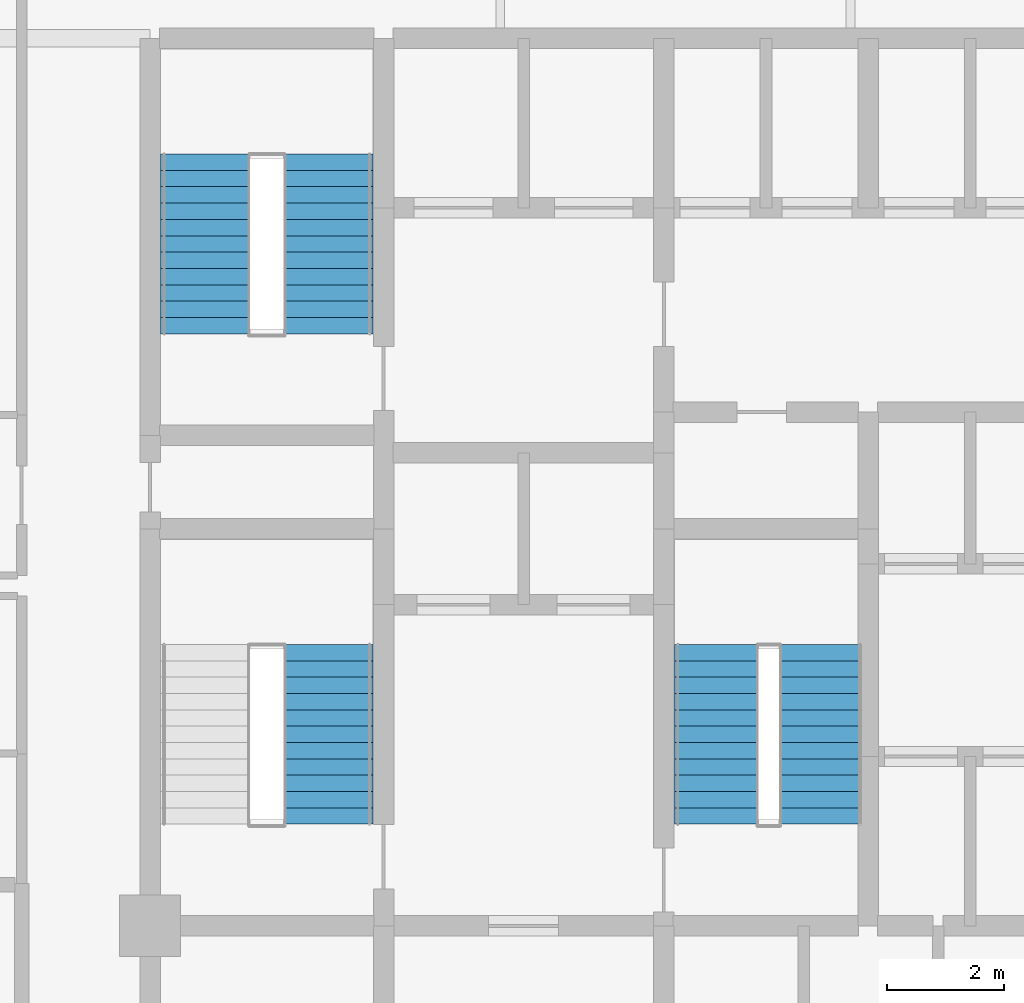
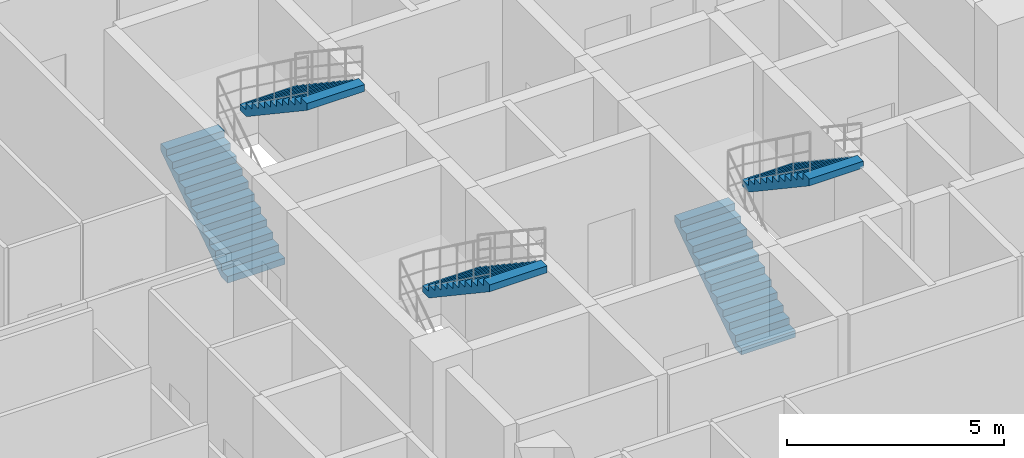
# One storey, part 28 of 30: 5 stair flights, 3 elements without a shape of their own.
"""IFC4 building model written with IfcOpenShell, lengths in metres."""

import ifcopenshell
import ifcopenshell.guid

model = None  # the IFC model being written
_history = None  # IfcOwnerHistory: only IFC2X3 demands one
_inside = {}  # id of a spatial element -> (the spatial element, [elements in it])
_under = {}  # id of a project, library or spatial element -> (it, [spatial elements below it])
_declared = {}  # id of a project -> (the project, [libraries it declares])
_typed = {}  # id of a type object -> (the type object, [elements of that type])
_made_of = {}  # id of a material, layer set ... -> (it, [elements and type objects made of it])


def new_model(schema):
    """Start an empty IFC model of exactly this schema.

    Asked for "IFC4X3", IfcOpenShell would pick the latest addendum, in which some entities
    have other attributes; the version numbers below select the first issue.
    IFC2X3 requires an IfcOwnerHistory on every rooted entity: one is made here for all.
    """
    global model, _history
    if schema == "IFC4X3":
        model = ifcopenshell.file(schema_version=(4, 3, 0, 0))
    else:
        model = ifcopenshell.file(schema=schema)
    _inside.clear()
    _under.clear()
    _declared.clear()
    _typed.clear()
    _made_of.clear()
    _history = None
    if model.schema == "IFC2X3":
        org = make("IfcOrganization", Name="unknown")
        user = make(
            "IfcPersonAndOrganization",
            ThePerson=make("IfcPerson", FamilyName="unknown"),
            TheOrganization=org,
        )
        app = make(
            "IfcApplication",
            ApplicationDeveloper=org,
            Version="unknown",
            ApplicationFullName="unknown",
            ApplicationIdentifier="unknown",
        )
        _history = make(
            "IfcOwnerHistory",
            OwningUser=user,
            OwningApplication=app,
            ChangeAction="ADDED",
            CreationDate=0,
        )
    return model


def make(cls, **values):
    """One entity of the class cls with the attributes given. An attribute that is None is left unset."""
    return model.create_entity(
        cls, **{name: value for name, value in values.items() if value is not None}
    )


def rooted(cls, **values):
    """An entity with a GlobalId (a new one), such as an element, a storey or a relation."""
    return make(cls, GlobalId=ifcopenshell.guid.new(), OwnerHistory=_history, **values)


def si_unit(unit_type, name, prefix=None):
    """IfcSIUnit, for example si_unit("LENGTHUNIT", "METRE", prefix="MILLI")."""
    return make("IfcSIUnit", UnitType=unit_type, Prefix=prefix, Name=name)


def assignment(units):
    """IfcUnitAssignment: the units of a project."""
    return None if units is None else make("IfcUnitAssignment", Units=units)


def point(xyz):
    """IfcCartesianPoint."""
    return None if xyz is None else make("IfcCartesianPoint", Coordinates=xyz)


def direction(xyz):
    """IfcDirection."""
    return None if xyz is None else make("IfcDirection", DirectionRatios=xyz)


def frame(location, z_axis=None, x_axis=None):
    """IfcAxis2Placement3D, a coordinate frame: its origin and axes. An axis left out is left unset."""
    return make(
        "IfcAxis2Placement3D",
        Location=point(location),
        Axis=direction(z_axis),
        RefDirection=direction(x_axis),
    )


def origin():
    """The frame at (0, 0, 0) with its axes left unset."""
    return frame((0.0, 0.0, 0.0))


def place(relative_to, where):
    """IfcLocalPlacement: puts the frame where relative to a parent placement (None: the world)."""
    return make(
        "IfcLocalPlacement", PlacementRelTo=relative_to, RelativePlacement=where
    )


def context(
    kind, dimensions, precision=None, world=None, true_north=None, identifier=None
):
    """IfcGeometricRepresentationContext, for example the 3D "Model" context."""
    return make(
        "IfcGeometricRepresentationContext",
        ContextIdentifier=identifier,
        ContextType=kind,
        CoordinateSpaceDimension=dimensions,
        Precision=precision,
        WorldCoordinateSystem=world,
        TrueNorth=true_north,
    )


def subcontext(parent, identifier, kind, view, scale=None):
    """IfcGeometricRepresentationSubContext, for example "Body" below "Model"."""
    return make(
        "IfcGeometricRepresentationSubContext",
        ContextIdentifier=identifier,
        ContextType=kind,
        ParentContext=parent,
        TargetScale=scale,
        TargetView=view,
    )


def project(units=None, contexts=None):
    """IfcProject with its units and contexts."""
    return rooted(
        "IfcProject",
        Name="project",
        RepresentationContexts=contexts,
        UnitsInContext=assignment(units),
    )


def spatial(cls, under=None, at=None, **own):
    """A site, building, storey or space (cls), placed at a placement, below another one or the project."""
    s = rooted(cls, ObjectPlacement=at, **own)
    if under is not None:
        _under.setdefault(under.id(), (under, []))[1].append(s)
    return s


def polyline(points):
    """IfcPolyline through the points."""
    return make("IfcPolyline", Points=[point(p) for p in points])


def outline(outer, holes=None, kind="AREA"):
    """IfcArbitraryClosedProfileDef: a profile drawn as a closed curve; with holes, ...WithVoids."""
    if holes is None:
        return make("IfcArbitraryClosedProfileDef", ProfileType=kind, OuterCurve=outer)
    return make(
        "IfcArbitraryProfileDefWithVoids",
        ProfileType=kind,
        OuterCurve=outer,
        InnerCurves=holes,
    )


def extrude(swept, where, along, depth):
    """IfcExtrudedAreaSolid: the profile swept, set in the frame where, extruded along a direction by depth."""
    return make(
        "IfcExtrudedAreaSolid",
        SweptArea=swept,
        Position=where,
        ExtrudedDirection=direction(along),
        Depth=depth,
    )


def shape(context_of_items, identifier, shape_type, items):
    """IfcShapeRepresentation: the items that make up one representation, for example the "Body"."""
    return make(
        "IfcShapeRepresentation",
        ContextOfItems=context_of_items,
        RepresentationIdentifier=identifier,
        RepresentationType=shape_type,
        Items=items,
    )


def material(Name=None, Category=None):
    """IfcMaterial."""
    return make("IfcMaterial", Name=Name, Category=Category)


def made_of(thing, what):
    """Note that an element or type object is made of a material, layer set ...; save() writes the relation."""
    if what is not None:
        _made_of.setdefault(what.id(), (what, []))[1].append(thing)
    return thing


def type_object(cls, material=None, **own):
    """A type object (cls), such as IfcWallType, which elements share."""
    return made_of(rooted(cls, **own), material)


def element(
    cls,
    number,
    at=None,
    inside=None,
    cuts=None,
    type_object=None,
    material=None,
    context=None,
    identifier="Body",
    shape_type=None,
    held_by="IfcProductDefinitionShape",
    body=None,
    shapes=None,
    **own,
):
    """One element of the class cls, such as IfcWall. Its Tag is "e" and its number.

    at: its placement. inside: the storey or other place that contains it. cuts: it is an
    opening in that element (IfcRelVoidsElement). A single representation is given by context,
    identifier, shape_type and body (its items); several are given by shapes. held_by: the class
    of the entity that holds the representations. save() writes the other relations.
    """
    e = rooted(cls, Tag="e%d" % number, ObjectPlacement=at, **own)
    if body is not None:
        shapes = [shape(context, identifier, shape_type, body)]
    if shapes is not None:
        e.Representation = make(held_by, Representations=shapes)
    if inside is not None:
        _inside.setdefault(inside.id(), (inside, []))[1].append(e)
    if cuts is not None:
        rooted(
            "IfcRelVoidsElement", RelatingBuildingElement=cuts, RelatedOpeningElement=e
        )
    if type_object is not None:
        _typed.setdefault(type_object.id(), (type_object, []))[1].append(e)
    return made_of(e, material)


def aggregate(whole, parts):
    """IfcRelAggregates: a whole, such as a stair, and the parts it consists of."""
    return rooted("IfcRelAggregates", RelatingObject=whole, RelatedObjects=parts)


def save(model, path):
    """Write the relations noted so far, then the file.

    IfcRelAggregates (storeys below a building ...), IfcRelContainedInSpatialStructure (elements
    in a storey), IfcRelDefinesByType, IfcRelAssociatesMaterial and IfcRelDeclares: one each for
    every whole, place, type object, material and project.
    """
    for whole, parts in _under.values():
        aggregate(whole, parts)
    for where, things in _inside.values():
        rooted(
            "IfcRelContainedInSpatialStructure",
            RelatedElements=things,
            RelatingStructure=where,
        )
    for kind, things in _typed.values():
        rooted("IfcRelDefinesByType", RelatedObjects=things, RelatingType=kind)
    for what, things in _made_of.values():
        rooted("IfcRelAssociatesMaterial", RelatedObjects=things, RelatingMaterial=what)
    for by, libraries in _declared.values():
        rooted("IfcRelDeclares", RelatingContext=by, RelatedDefinitions=libraries)
    model.write(path)


model = new_model("IFC4")

# Units and contexts
model_context = context("Model", 3, precision=1e-05, world=origin(), true_north=direction((0.0, 1.0)))
body_context = subcontext(model_context, "Body", "Model", "MODEL_VIEW")
ifc_project = project(units=[si_unit("LENGTHUNIT", "METRE"), si_unit("AREAUNIT", "SQUARE_METRE"), si_unit("VOLUMEUNIT", "CUBIC_METRE"), si_unit("PLANEANGLEUNIT", "RADIAN"), si_unit("MASSUNIT", "GRAM", prefix="KILO")], contexts=[model_context])

# Site, building, storey
site_placement = place(None, origin())
site = spatial("IfcSite", under=ifc_project, at=site_placement, CompositionType="ELEMENT")
building_placement = place(site_placement, origin())
building = spatial("IfcBuilding", under=site, at=building_placement, Name="Keshet Zoharim Tower", CompositionType="ELEMENT")
storey_placement = place(building_placement, frame((0.0, 0.0, 86.39990234375)))
storey = spatial("IfcBuildingStorey", under=building, at=storey_placement, Name="L20", CompositionType="ELEMENT", Elevation=86.39990234375)

# Stair, stair flight
ifc_material = material(Name="Concrete C50/60", Category="concrete")
stair_type = type_object("IfcStairType", Name="STR-EXIT-135", PredefinedType="HALF_TURN_STAIR", material=ifc_material)
stair_1_placement = place(storey_placement, origin())
stair_1 = element("IfcStair", 1, at=stair_1_placement, inside=storey, type_object=stair_type, Name="L20 Enclosed Exit Stair ST-01", PredefinedType="HALF_TURN_STAIR")
stair_flight_type_1 = type_object("IfcStairFlightType", Name="FLT-PRE-135", PredefinedType="STRAIGHT", material=ifc_material)
stair_flight_1_placement = place(storey_placement, frame((18.054931640625, 27.52001953125, 2.25), z_axis=(0.0, 0.0, 1.0), x_axis=(0.0, -1.0, 0.0)))
stair_flight_1 = element("IfcStairFlight", 2, at=stair_flight_1_placement, type_object=stair_flight_type_1, Name="ST-01 flight 2", NumberOfRisers=12, NumberOfTreads=11, PredefinedType="STRAIGHT", RiserHeight=0.1875, TreadLength=0.28, context=body_context, shape_type="SweptSolid", body=[
    extrude(outline(polyline([(0.0, 0.0), (0.0, 0.1875), (0.280029296875, 0.1875), (0.280029296875, 0.375), (0.56005859375, 0.375), (0.56005859375, 0.5625), (0.840087890625, 0.5625), (0.840087890625, 0.75), (1.1201171875, 0.75), (1.1201171875, 0.9375), (1.39990234375, 0.9375), (1.39990234375, 1.125), (1.679931640625, 1.125), (1.679931640625, 1.3125), (1.9599609375, 1.3125), (1.9599609375, 1.5), (2.239990234375, 1.5), (2.239990234375, 1.6875), (2.52001953125, 1.6875), (2.52001953125, 1.875), (2.800048828125, 1.875), (2.800048828125, 2.0625), (3.080078125, 2.0625), (3.080078125, 2.25), (3.080078125, 1.8701171875), (0.287353515625, 0.0), (0.0, 0.0)])), frame((0.0, 0.76513671875, 0.0), z_axis=(0.0, -1.0, 0.0), x_axis=(1.0, 0.0, 0.0)), (0.0, 0.0, 1.0), 1.530029296875),
])
aggregate(stair_1, [stair_flight_1])

# Stair, stair flights
stair_2_placement = place(storey_placement, origin())
stair_2 = element("IfcStair", 3, at=stair_2_placement, inside=storey, type_object=stair_type, Name="L20 Enclosed Exit Stair ST-02", PredefinedType="HALF_TURN_STAIR")
stair_flight_2_placement = place(storey_placement, frame((15.945068359375, 32.840087890625, 0.0), z_axis=(0.0, 0.0, 1.0), x_axis=(0.0, 1.0, 0.0)))
stair_flight_2 = element("IfcStairFlight", 4, at=stair_flight_2_placement, type_object=stair_flight_type_1, Name="ST-02 flight 1", NumberOfRisers=12, NumberOfTreads=11, PredefinedType="STRAIGHT", RiserHeight=0.1875, TreadLength=0.28, context=body_context, shape_type="SweptSolid", body=[
    extrude(outline(polyline([(0.0, 0.0), (0.0, 0.1875), (0.280029296875, 0.1875), (0.280029296875, 0.375), (0.56005859375, 0.375), (0.56005859375, 0.5625), (0.840087890625, 0.5625), (0.840087890625, 0.75), (1.1201171875, 0.75), (1.1201171875, 0.9375), (1.39990234375, 0.9375), (1.39990234375, 1.125), (1.679931640625, 1.125), (1.679931640625, 1.3125), (1.9599609375, 1.3125), (1.9599609375, 1.5), (2.239990234375, 1.5), (2.239990234375, 1.6875), (2.52001953125, 1.6875), (2.52001953125, 1.875), (2.800048828125, 1.875), (2.800048828125, 2.0625), (3.080078125, 2.0625), (3.080078125, 2.25), (3.080078125, 1.8701171875), (0.287353515625, 0.0), (0.0, 0.0)])), frame((0.0, 0.76513671875, 0.0), z_axis=(0.0, -1.0, 0.0), x_axis=(1.0, 0.0, 0.0)), (0.0, 0.0, 1.0), 1.530029296875),
])
stair_flight_3_placement = place(storey_placement, frame((18.054931640625, 35.919921875, 2.25), z_axis=(0.0, 0.0, 1.0), x_axis=(0.0, -1.0, 0.0)))
stair_flight_3 = element("IfcStairFlight", 5, at=stair_flight_3_placement, type_object=stair_flight_type_1, Name="ST-02 flight 2", NumberOfRisers=12, NumberOfTreads=11, PredefinedType="STRAIGHT", RiserHeight=0.1875, TreadLength=0.28, context=body_context, shape_type="SweptSolid", body=[
    extrude(outline(polyline([(0.0, 0.0), (0.0, 0.1875), (0.280029296875, 0.1875), (0.280029296875, 0.375), (0.56005859375, 0.375), (0.56005859375, 0.5625), (0.840087890625, 0.5625), (0.840087890625, 0.75), (1.1201171875, 0.75), (1.1201171875, 0.9375), (1.39990234375, 0.9375), (1.39990234375, 1.125), (1.679931640625, 1.125), (1.679931640625, 1.3125), (1.9599609375, 1.3125), (1.9599609375, 1.5), (2.239990234375, 1.5), (2.239990234375, 1.6875), (2.52001953125, 1.6875), (2.52001953125, 1.875), (2.800048828125, 1.875), (2.800048828125, 2.0625), (3.080078125, 2.0625), (3.080078125, 2.25), (3.080078125, 1.8701171875), (0.287353515625, 0.0), (0.0, 0.0)])), frame((0.0, 0.76513671875, 0.0), z_axis=(0.0, -1.0, 0.0), x_axis=(1.0, 0.0, 0.0)), (0.0, 0.0, 1.0), 1.530029296875),
])
aggregate(stair_2, [stair_flight_2, stair_flight_3])

stair_3_placement = place(storey_placement, origin())
stair_3 = element("IfcStair", 6, at=stair_3_placement, inside=storey, type_object=stair_type, Name="L20 Enclosed Exit Stair ST-03", PredefinedType="HALF_TURN_STAIR")
stair_flight_type_2 = type_object("IfcStairFlightType", Name="FLT-PRE-144", PredefinedType="STRAIGHT", material=ifc_material)
stair_flight_4_placement = place(storey_placement, frame((24.699951171875, 24.43994140625, 0.0), z_axis=(0.0, 0.0, 1.0), x_axis=(0.0, 1.0, 0.0)))
stair_flight_4 = element("IfcStairFlight", 7, at=stair_flight_4_placement, type_object=stair_flight_type_2, Name="ST-03 flight 1", NumberOfRisers=12, NumberOfTreads=11, PredefinedType="STRAIGHT", RiserHeight=0.1875, TreadLength=0.28, context=body_context, shape_type="SweptSolid", body=[
    extrude(outline(polyline([(0.0, 0.0), (0.0, 0.1875), (0.280029296875, 0.1875), (0.280029296875, 0.375), (0.56005859375, 0.375), (0.56005859375, 0.5625), (0.840087890625, 0.5625), (0.840087890625, 0.75), (1.1201171875, 0.75), (1.1201171875, 0.9375), (1.39990234375, 0.9375), (1.39990234375, 1.125), (1.679931640625, 1.125), (1.679931640625, 1.3125), (1.9599609375, 1.3125), (1.9599609375, 1.5), (2.239990234375, 1.5), (2.239990234375, 1.6875), (2.52001953125, 1.6875), (2.52001953125, 1.875), (2.800048828125, 1.875), (2.800048828125, 2.0625), (3.080078125, 2.0625), (3.080078125, 2.25), (3.080078125, 1.8701171875), (0.287353515625, 0.0), (0.0, 0.0)])), frame((0.0, 0.719970703125, 0.0), z_axis=(0.0, -1.0, 0.0), x_axis=(1.0, 0.0, 0.0)), (0.0, 0.0, 1.0), 1.43994140625),
])
stair_flight_5_placement = place(storey_placement, frame((26.5, 27.52001953125, 2.25), z_axis=(0.0, 0.0, 1.0), x_axis=(0.0, -1.0, 0.0)))
stair_flight_5 = element("IfcStairFlight", 8, at=stair_flight_5_placement, type_object=stair_flight_type_2, Name="ST-03 flight 2", NumberOfRisers=12, NumberOfTreads=11, PredefinedType="STRAIGHT", RiserHeight=0.1875, TreadLength=0.28, context=body_context, shape_type="SweptSolid", body=[
    extrude(outline(polyline([(0.0, 0.0), (0.0, 0.1875), (0.280029296875, 0.1875), (0.280029296875, 0.375), (0.56005859375, 0.375), (0.56005859375, 0.5625), (0.840087890625, 0.5625), (0.840087890625, 0.75), (1.1201171875, 0.75), (1.1201171875, 0.9375), (1.39990234375, 0.9375), (1.39990234375, 1.125), (1.679931640625, 1.125), (1.679931640625, 1.3125), (1.9599609375, 1.3125), (1.9599609375, 1.5), (2.239990234375, 1.5), (2.239990234375, 1.6875), (2.52001953125, 1.6875), (2.52001953125, 1.875), (2.800048828125, 1.875), (2.800048828125, 2.0625), (3.080078125, 2.0625), (3.080078125, 2.25), (3.080078125, 1.8701171875), (0.287353515625, 0.0), (0.0, 0.0)])), frame((0.0, 0.719970703125, 0.0), z_axis=(0.0, -1.0, 0.0), x_axis=(1.0, 0.0, 0.0)), (0.0, 0.0, 1.0), 1.43994140625),
])
aggregate(stair_3, [stair_flight_4, stair_flight_5])

save(model, "model.ifc")
